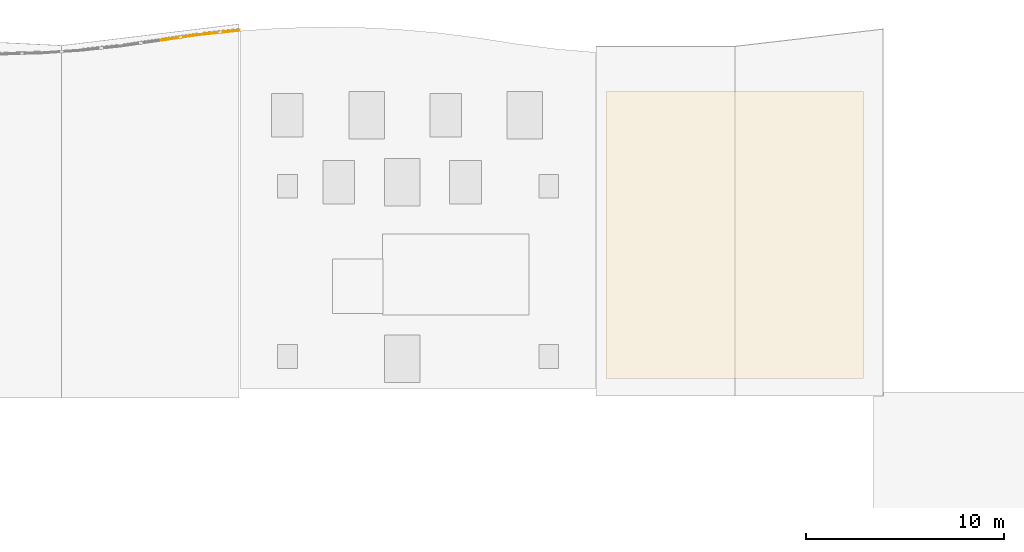
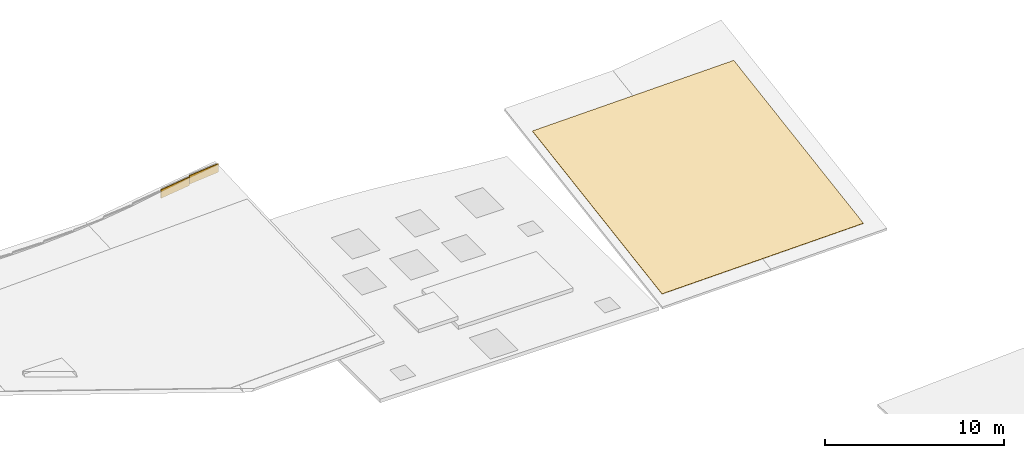
# One storey, part 11 of 11: 3 coverings.
"""IFC4 building model written with IfcOpenShell, lengths in metres."""

from ifc_helpers import new_model, si_unit, direction, frame, origin, place, context, subcontext, project, spatial, polyline, outline, extrude, material, layer, layer_set, type_object, element, save


model = new_model("IFC4")

# Units and contexts
model_context = context("Model", 3, precision=1e-05, world=origin(), true_north=direction((0.0, 1.0)))
body_context = subcontext(model_context, "Body", "Model", "MODEL_VIEW")
ifc_project = project(units=[si_unit("LENGTHUNIT", "METRE"), si_unit("AREAUNIT", "SQUARE_METRE"), si_unit("VOLUMEUNIT", "CUBIC_METRE"), si_unit("PLANEANGLEUNIT", "RADIAN"), si_unit("MASSUNIT", "GRAM", prefix="KILO")], contexts=[model_context])

# Site, building, storey
site_placement = place(None, origin())
site = spatial("IfcSite", under=ifc_project, at=site_placement, CompositionType="ELEMENT")
building_placement = place(site_placement, origin())
building = spatial("IfcBuilding", under=site, at=building_placement, Name="Tonlespit Floodbar School", CompositionType="ELEMENT")
storey_placement = place(building_placement, frame((0.0, 0.0, 24.0)))
storey = spatial("IfcBuildingStorey", under=building, at=storey_placement, Name="RF", CompositionType="ELEMENT", Elevation=24.0)

# Coverings
ifc_material_1 = material(Name="White Architectural Aluminium", Category="aluminium")
ifc_layer_1 = layer(ifc_material_1, 0.050048828125)
ifc_layer_set_1 = layer_set([ifc_layer_1], Name="White Architectural Aluminium")
covering_type_1 = type_object("IfcCoveringType", Name="Cladding_WhiteBand_50", PredefinedType="CLADDING", material=ifc_layer_set_1)
covering_1_placement = place(storey_placement, frame((0.0, 0.0, 0.572998046875)))
element("IfcCovering", 1, at=covering_1_placement, inside=storey, type_object=covering_type_1, Name="RF curved white spandrel cladding 0449", PredefinedType="CLADDING", context=body_context, shape_type="SweptSolid", body=[
    extrude(outline(polyline([(112.0, 121.550048828125), (114.0, 121.841552734375), (113.992919921875, 121.89111328125), (111.992919921875, 121.599609375), (112.0, 121.550048828125)])), origin(), (0.0, 0.0, 1.0), 0.579833984375),
])
covering_2_placement = place(storey_placement, frame((0.0, 0.0, 0.65869140625)))
element("IfcCovering", 2, at=covering_2_placement, inside=storey, type_object=covering_type_1, Name="RF curved white spandrel cladding 0451", PredefinedType="CLADDING", context=body_context, shape_type="SweptSolid", body=[
    extrude(outline(polyline([(114.0, 121.841552734375), (116.0, 122.05419921875), (115.99462890625, 122.10400390625), (113.99462890625, 121.891357421875), (114.0, 121.841552734375)])), origin(), (0.0, 0.0, 1.0), 0.580078125),
])
ifc_material_2 = material(Name="Standing-Seam Zinc-Aluminium Roofing", Category="aluminium")
ifc_layer_2 = layer(ifc_material_2, 0.02490234375)
ifc_layer_set_2 = layer_set([ifc_layer_2], Name="Standing-Seam Zinc-Aluminium Roofing")
covering_type_2 = type_object("IfcCoveringType", Name="Roofing_StandingSeam_25", PredefinedType="ROOFING", material=ifc_layer_set_2)
covering_3_placement = place(storey_placement, frame((134.5, 104.5, -3.484130859375), z_axis=(-0.020411534174, -0.158367269183, 0.987169274909), x_axis=(0.999786302809, 0.0, 0.020672414352)))
element("IfcCovering", 3, at=covering_3_placement, inside=storey, type_object=covering_type_2, Name="Standing-seam roof membrane 06", PredefinedType="ROOFING", context=body_context, shape_type="SweptSolid", body=[
    extrude(outline(polyline([(0.0, 0.0), (13.002778657271737, -6.938893903907228e-18), (13.050866246124729, 14.685324755545563), (0.04808758885299134, 14.685324755545565), (0.0, 0.0)])), origin(), (0.0, 0.0, -1.0), 0.02490234375),
])

save(model, "model.ifc")
